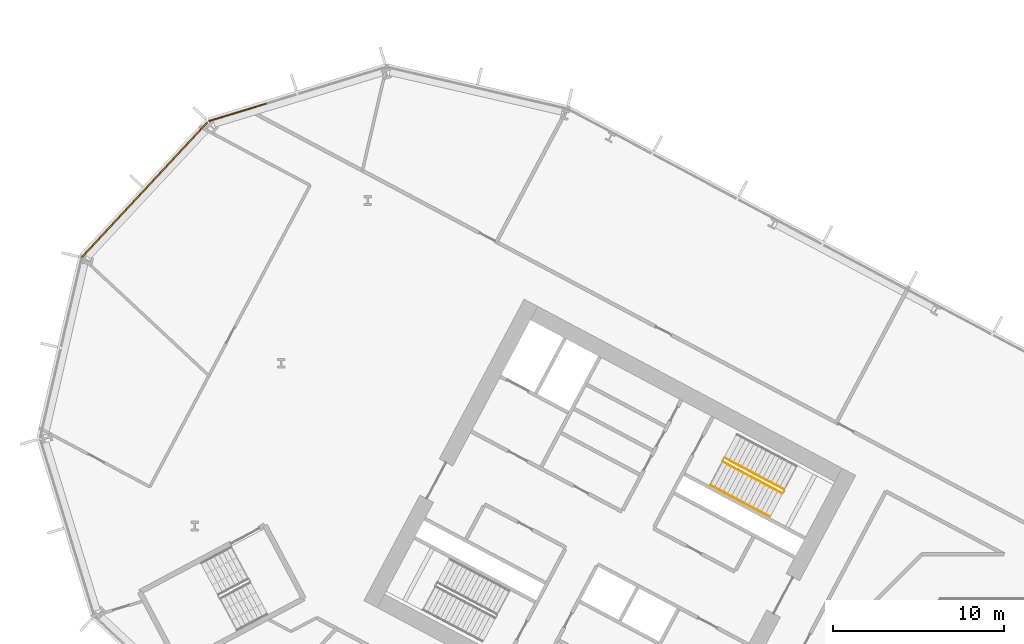
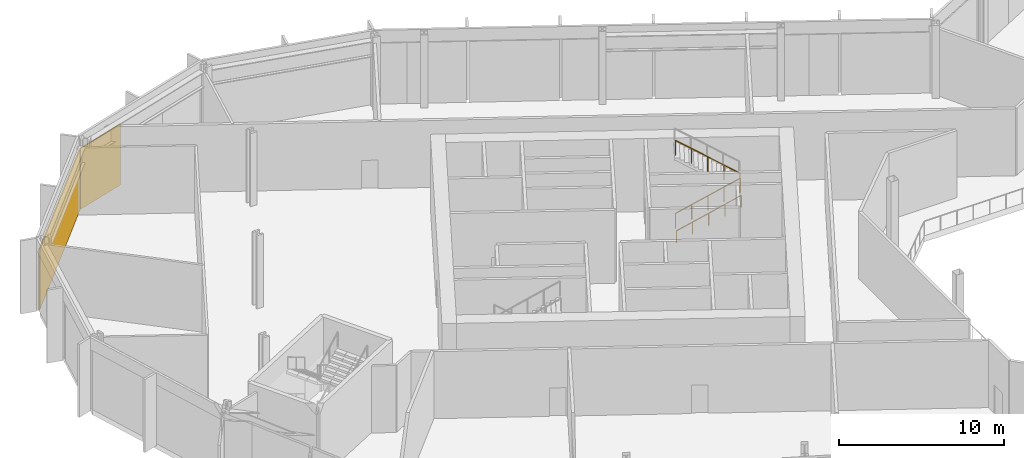
# One storey, part 24 of 32: 3 railings, 2 coverings, 2 elements without a shape of their own.
"""IFC4 building model written with IfcOpenShell, lengths in metres."""

from ifc_helpers import new_model, si_unit, direction, frame, origin, origin_2d, place, context, subcontext, project, spatial, polyline, rectangle, outline, extrude, material, layer, layer_set, type_object, element, aggregate, save


model = new_model("IFC4")

# Units and contexts
model_context = context("Model", 3, precision=1e-05, world=origin(), true_north=direction((0.0, 1.0)))
body_context = subcontext(model_context, "Body", "Model", "MODEL_VIEW")
ifc_project = project(units=[si_unit("LENGTHUNIT", "METRE"), si_unit("AREAUNIT", "SQUARE_METRE"), si_unit("VOLUMEUNIT", "CUBIC_METRE"), si_unit("PLANEANGLEUNIT", "RADIAN"), si_unit("MASSUNIT", "GRAM", prefix="KILO")], contexts=[model_context])

# Site, building, storey
site_placement = place(None, origin())
site = spatial("IfcSite", under=ifc_project, at=site_placement, CompositionType="ELEMENT")
building_placement = place(site_placement, origin())
building = spatial("IfcBuilding", under=site, at=building_placement, Name="Cormorant Relay Tower", CompositionType="ELEMENT")
storey_placement = place(building_placement, frame((0.0, 0.0, 39.199951171875)))
storey = spatial("IfcBuildingStorey", under=building, at=storey_placement, Name="L07", CompositionType="ELEMENT", Elevation=39.199951171875)

# Curtain wall, covering
ifc_material_1 = material(Name="Aluminium 6063-T6 anodised bronze", Category="aluminium")
ifc_layer_1 = layer(ifc_material_1, 0.235107421875)
ifc_layer_set_1 = layer_set([ifc_layer_1], Name="CW6 data hall curtain wall with mineral wool panels")
curtain_wall_type = type_object("IfcCurtainWallType", Name="CW6 data hall curtain wall with mineral wool panels", PredefinedType="NOTDEFINED", material=ifc_layer_set_1)
curtain_wall_1_placement = place(storey_placement, origin())
curtain_wall_1 = element("IfcCurtainWall", 1, at=curtain_wall_1_placement, inside=storey, type_object=curtain_wall_type, Name="CW6 curtain wall 9", PredefinedType="NOTDEFINED")
ifc_material_2 = material(Name="Mineral wool cored anodised bronze aluminium cassette panel", Category="aluminium")
ifc_layer_2 = layer(ifc_material_2, 0.074951171875)
ifc_layer_set_2 = layer_set([ifc_layer_2], Name="CW6 mineral wool cassette panel 75")
covering_type = type_object("IfcCoveringType", Name="CW6 mineral wool cassette panel 75", PredefinedType="CLADDING", material=ifc_layer_set_2)
covering_1_placement = place(storey_placement, frame((-49.169677734375, 39.491455078125, 0.0), z_axis=(0.0, 0.0, 1.0), x_axis=(-0.956304755963, -0.292371704723, 0.0)))
covering_1 = element("IfcCovering", 2, at=covering_1_placement, type_object=covering_type, Name="CW6 panel S03", PredefinedType="CLADDING", context=body_context, shape_type="SweptSolid", body=[
    extrude(rectangle(XDim=3.560302734375, YDim=0.074951171875, at=origin_2d()), origin(), (0.0, 0.0, 1.0), 4.5),
])
aggregate(curtain_wall_1, [covering_1])

curtain_wall_2_placement = place(storey_placement, origin())
curtain_wall_2 = element("IfcCurtainWall", 3, at=curtain_wall_2_placement, inside=storey, type_object=curtain_wall_type, Name="CW6 curtain wall 10", PredefinedType="NOTDEFINED")
covering_2_placement = place(storey_placement, frame((-54.62060546875, 34.958251953125, 0.0), z_axis=(0.0, 0.0, 1.0), x_axis=(-0.681998360062, -0.731353701619, 0.0)))
covering_2 = element("IfcCovering", 4, at=covering_2_placement, type_object=covering_type, Name="CW6 panel S00", PredefinedType="CLADDING", context=body_context, shape_type="SweptSolid", body=[
    extrude(rectangle(XDim=10.79541015625, YDim=0.074951171875, at=origin_2d()), origin(), (0.0, 0.0, 1.0), 4.5),
])
aggregate(curtain_wall_2, [covering_2])

# Railings
ifc_material_3 = material(Name="Steel ASTM A572 Grade 50 (Fy 345 MPa)", Category="steel")
railing_type_1 = type_object("IfcRailingType", Name="Stair guard 1100", PredefinedType="GUARDRAIL", material=ifc_material_3)
railing_1_placement = place(storey_placement, frame((-20.75048828125, 19.017822265625, 0.179931640625)))
element("IfcRailing", 5, at=railing_1_placement, inside=storey, type_object=railing_type_1, Name="L07 A1 stair guard 1", PredefinedType="GUARDRAIL", context=body_context, shape_type="SweptSolid", body=[
    extrude(outline(polyline([(0.022216796875, 0.00927734375), (0.00927734375, 0.022216796875), (-0.00927734375, 0.022216796875), (-0.022216796875, 0.00927734375), (-0.022216796875, -0.00927734375), (-0.00927734375, -0.022216796875), (0.00927734375, -0.022216796875), (0.022216796875, -0.00927734375), (0.022216796875, 0.00927734375)])), frame((0.0, 0.0, 1.076171875), z_axis=(0.74271721126, -0.394907409077, 0.540758062681), x_axis=(0.469469396681, 0.882948744594, 0.0)), (0.0, 0.0, 1.0), 4.66015625),
    extrude(outline(polyline([(0.019287109375, 0.008056640625), (0.008056640625, 0.019287109375), (-0.008056640625, 0.019287109375), (-0.019287109375, 0.008056640625), (-0.019287109375, -0.008056640625), (-0.008056640625, -0.019287109375), (0.008056640625, -0.019287109375), (0.019287109375, -0.008056640625), (0.019287109375, 0.008056640625)])), origin(), (0.0, 0.0, 1.0), 1.052001953125),
    extrude(outline(polyline([(0.019287109375, 0.008056640625), (0.008056640625, 0.019287109375), (-0.008056640625, 0.019287109375), (-0.019287109375, 0.008056640625), (-0.019287109375, -0.008056640625), (-0.008056640625, -0.019287109375), (0.008056640625, -0.019287109375), (0.019287109375, -0.008056640625), (0.019287109375, 0.008056640625)])), frame((0.865234375, -0.4599609375, 0.6298828125)), (0.0, 0.0, 1.0), 1.052001953125),
    extrude(outline(polyline([(0.019287109375, 0.008056640625), (0.008056640625, 0.019287109375), (-0.008056640625, 0.019287109375), (-0.019287109375, 0.008056640625), (-0.019287109375, -0.008056640625), (-0.008056640625, -0.019287109375), (0.008056640625, -0.019287109375), (0.019287109375, -0.008056640625), (0.019287109375, 0.008056640625)])), frame((1.73046875, -0.920166015625, 1.260009765625)), (0.0, 0.0, 1.0), 1.052001953125),
    extrude(outline(polyline([(0.019287109375, 0.008056640625), (0.008056640625, 0.019287109375), (-0.008056640625, 0.019287109375), (-0.019287109375, 0.008056640625), (-0.019287109375, -0.008056640625), (-0.008056640625, -0.019287109375), (0.008056640625, -0.019287109375), (0.019287109375, -0.008056640625), (0.019287109375, 0.008056640625)])), frame((2.595947265625, -1.38037109375, 1.89013671875)), (0.0, 0.0, 1.0), 1.052001953125),
    extrude(outline(polyline([(0.019287109375, 0.008056640625), (0.008056640625, 0.019287109375), (-0.008056640625, 0.019287109375), (-0.019287109375, 0.008056640625), (-0.019287109375, -0.008056640625), (-0.008056640625, -0.019287109375), (0.008056640625, -0.019287109375), (0.019287109375, -0.008056640625), (0.019287109375, 0.008056640625)])), frame((3.461181640625, -1.84033203125, 2.52001953125)), (0.0, 0.0, 1.0), 1.052001953125),
])
railing_2_placement = place(storey_placement, frame((-17.172119140625, 17.398193359375, 2.880126953125)))
element("IfcRailing", 6, at=railing_2_placement, inside=storey, type_object=railing_type_1, Name="L07 A1 stair guard 3", PredefinedType="GUARDRAIL", context=body_context, shape_type="SweptSolid", body=[
    extrude(outline(polyline([(0.022216796875, 0.00927734375), (0.00927734375, 0.022216796875), (-0.00927734375, 0.022216796875), (-0.022216796875, 0.00927734375), (-0.022216796875, -0.00927734375), (-0.00927734375, -0.022216796875), (0.00927734375, -0.022216796875), (0.022216796875, -0.00927734375), (0.022216796875, 0.00927734375)])), frame((0.0, 0.0, 1.076171875), z_axis=(-0.74271721126, 0.394907409077, 0.540758062681), x_axis=(-0.469469396681, -0.882948744594, 0.0)), (0.0, 0.0, 1.0), 4.66015625),
    extrude(outline(polyline([(0.019287109375, 0.008056640625), (0.008056640625, 0.019287109375), (-0.008056640625, 0.019287109375), (-0.019287109375, 0.008056640625), (-0.019287109375, -0.008056640625), (-0.008056640625, -0.019287109375), (0.008056640625, -0.019287109375), (0.019287109375, -0.008056640625), (0.019287109375, 0.008056640625)])), origin(), (0.0, 0.0, 1.0), 1.052001953125),
    extrude(outline(polyline([(0.019287109375, 0.008056640625), (0.008056640625, 0.019287109375), (-0.008056640625, 0.019287109375), (-0.019287109375, 0.008056640625), (-0.019287109375, -0.008056640625), (-0.008056640625, -0.019287109375), (0.008056640625, -0.019287109375), (0.019287109375, -0.008056640625), (0.019287109375, 0.008056640625)])), frame((-0.865234375, 0.4599609375, 0.6298828125)), (0.0, 0.0, 1.0), 1.052001953125),
    extrude(outline(polyline([(0.019287109375, 0.008056640625), (0.008056640625, 0.019287109375), (-0.008056640625, 0.019287109375), (-0.019287109375, 0.008056640625), (-0.019287109375, -0.008056640625), (-0.008056640625, -0.019287109375), (0.008056640625, -0.019287109375), (0.019287109375, -0.008056640625), (0.019287109375, 0.008056640625)])), frame((-1.73046875, 0.920166015625, 1.260009765625)), (0.0, 0.0, 1.0), 1.052001953125),
    extrude(outline(polyline([(0.019287109375, 0.008056640625), (0.008056640625, 0.019287109375), (-0.008056640625, 0.019287109375), (-0.019287109375, 0.008056640625), (-0.019287109375, -0.008056640625), (-0.008056640625, -0.019287109375), (0.008056640625, -0.019287109375), (0.019287109375, -0.008056640625), (0.019287109375, 0.008056640625)])), frame((-2.595947265625, 1.38037109375, 1.89013671875)), (0.0, 0.0, 1.0), 1.052001953125),
    extrude(outline(polyline([(0.019287109375, 0.008056640625), (0.008056640625, 0.019287109375), (-0.008056640625, 0.019287109375), (-0.019287109375, 0.008056640625), (-0.019287109375, -0.008056640625), (-0.008056640625, -0.019287109375), (0.008056640625, -0.019287109375), (0.019287109375, -0.008056640625), (0.019287109375, 0.008056640625)])), frame((-3.461181640625, 1.84033203125, 2.52001953125)), (0.0, 0.0, 1.0), 1.052001953125),
])
ifc_material_4 = material(Name="Steel ASTM A572 Grade 50 (Fy 345 MPa)", Category="steel")
railing_type_2 = type_object("IfcRailingType", Name="Stair handrail 900", PredefinedType="HANDRAIL", material=ifc_material_4)
railing_3_placement = place(storey_placement, frame((-21.478271484375, 17.6494140625, 0.179931640625)))
element("IfcRailing", 7, at=railing_3_placement, inside=storey, type_object=railing_type_2, Name="L07 A1 stair handrail 1", PredefinedType="HANDRAIL", context=body_context, shape_type="SweptSolid", body=[
    extrude(outline(polyline([(0.022216796875, 0.00927734375), (0.00927734375, 0.022216796875), (-0.00927734375, 0.022216796875), (-0.022216796875, 0.00927734375), (-0.022216796875, -0.00927734375), (-0.00927734375, -0.022216796875), (0.00927734375, -0.022216796875), (0.022216796875, -0.00927734375), (0.022216796875, 0.00927734375)])), frame((0.0, 0.0, 0.8759765625), z_axis=(0.74271721126, -0.394907409077, 0.540758062681), x_axis=(0.469469396681, 0.882948744594, 0.0)), (0.0, 0.0, 1.0), 4.66015625),
    extrude(outline(polyline([(0.019287109375, 0.008056640625), (0.008056640625, 0.019287109375), (-0.008056640625, 0.019287109375), (-0.019287109375, 0.008056640625), (-0.019287109375, -0.008056640625), (-0.008056640625, -0.019287109375), (0.008056640625, -0.019287109375), (0.019287109375, -0.008056640625), (0.019287109375, 0.008056640625)])), origin(), (0.0, 0.0, 1.0), 0.851806640625),
    extrude(outline(polyline([(0.019287109375, 0.008056640625), (0.008056640625, 0.019287109375), (-0.008056640625, 0.019287109375), (-0.019287109375, 0.008056640625), (-0.019287109375, -0.008056640625), (-0.008056640625, -0.019287109375), (0.008056640625, -0.019287109375), (0.019287109375, -0.008056640625), (0.019287109375, 0.008056640625)])), frame((0.865234375, -0.4599609375, 0.6298828125)), (0.0, 0.0, 1.0), 0.851806640625),
    extrude(outline(polyline([(0.019287109375, 0.008056640625), (0.008056640625, 0.019287109375), (-0.008056640625, 0.019287109375), (-0.019287109375, 0.008056640625), (-0.019287109375, -0.008056640625), (-0.008056640625, -0.019287109375), (0.008056640625, -0.019287109375), (0.019287109375, -0.008056640625), (0.019287109375, 0.008056640625)])), frame((1.73046875, -0.920166015625, 1.260009765625)), (0.0, 0.0, 1.0), 0.851806640625),
    extrude(outline(polyline([(0.019287109375, 0.008056640625), (0.008056640625, 0.019287109375), (-0.008056640625, 0.019287109375), (-0.019287109375, 0.008056640625), (-0.019287109375, -0.008056640625), (-0.008056640625, -0.019287109375), (0.008056640625, -0.019287109375), (0.019287109375, -0.008056640625), (0.019287109375, 0.008056640625)])), frame((2.595947265625, -1.38037109375, 1.89013671875)), (0.0, 0.0, 1.0), 0.851806640625),
    extrude(outline(polyline([(0.019287109375, 0.008056640625), (0.008056640625, 0.019287109375), (-0.008056640625, 0.019287109375), (-0.019287109375, 0.008056640625), (-0.019287109375, -0.008056640625), (-0.008056640625, -0.019287109375), (0.008056640625, -0.019287109375), (0.019287109375, -0.008056640625), (0.019287109375, 0.008056640625)])), frame((3.461181640625, -1.84033203125, 2.52001953125)), (0.0, 0.0, 1.0), 0.851806640625),
])

save(model, "model.ifc")
